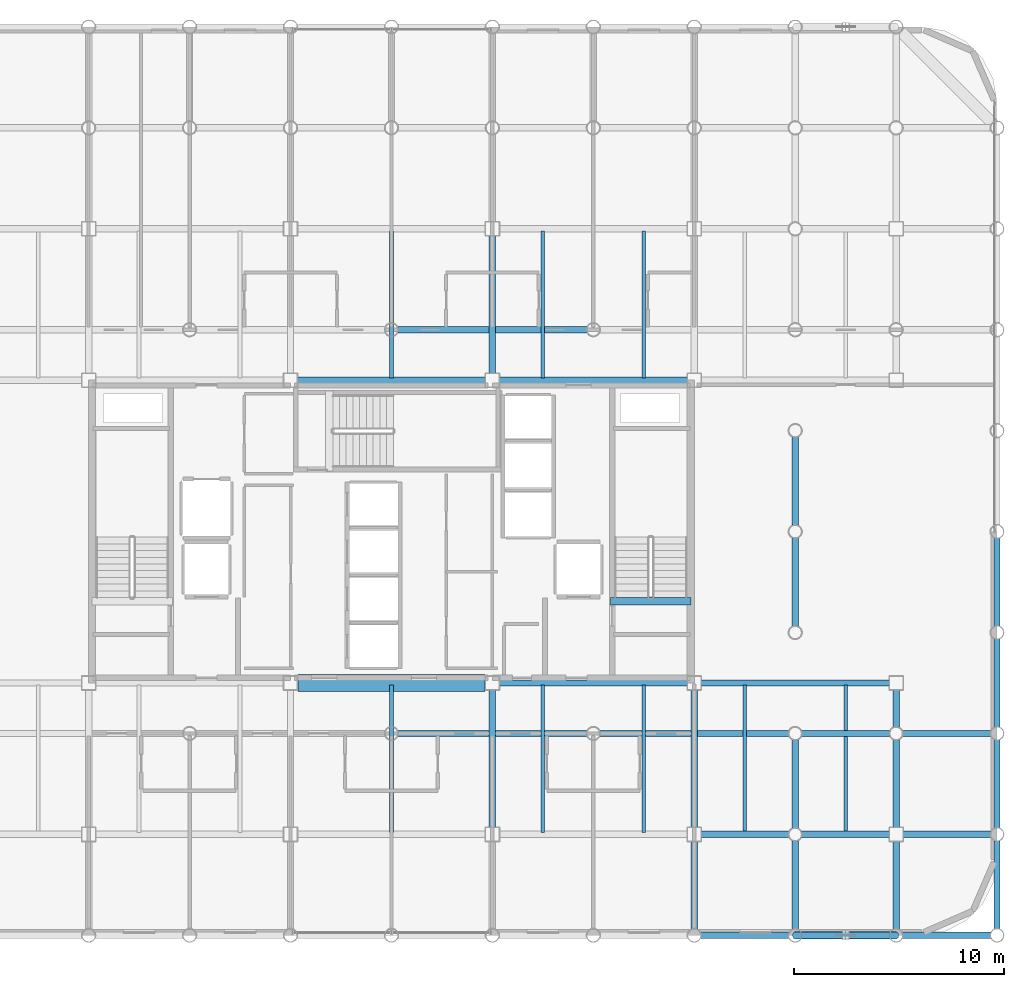
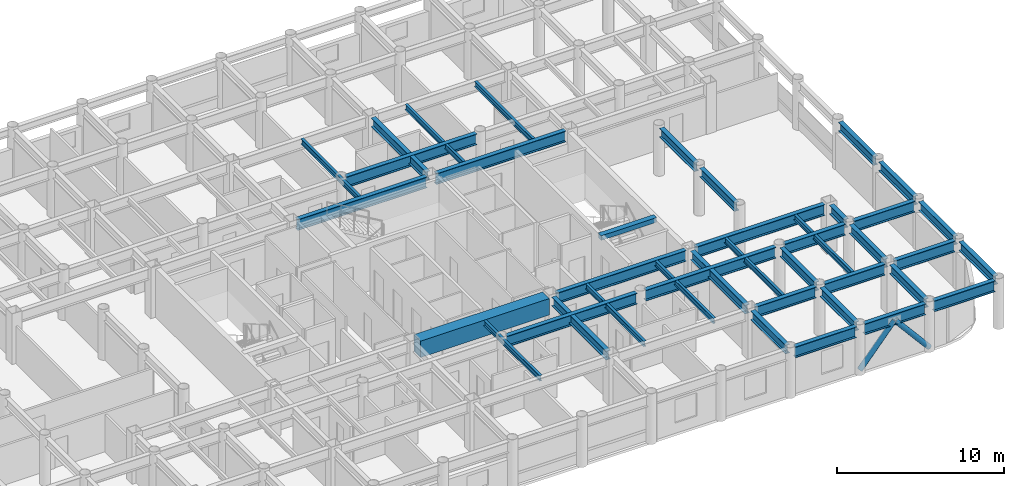
# One storey, part 7 of 20: 40 beams, 2 members.
"""IFC4 building model written with IfcOpenShell, lengths in metres."""

from ifc_helpers import new_model, si_unit, direction, frame, origin, origin_2d, place, context, subcontext, project, spatial, rectangle, hollow_circle, i_section, extrude, material, material_profile, profile_set, type_object, element, save


model = new_model("IFC4")

# Units and contexts
model_context = context("Model", 3, precision=1e-05, world=origin(), true_north=direction((0.0, 1.0)))
body_context = subcontext(model_context, "Body", "Model", "MODEL_VIEW")
ifc_project = project(units=[si_unit("LENGTHUNIT", "METRE"), si_unit("AREAUNIT", "SQUARE_METRE"), si_unit("VOLUMEUNIT", "CUBIC_METRE"), si_unit("PLANEANGLEUNIT", "RADIAN"), si_unit("MASSUNIT", "GRAM", prefix="KILO")], contexts=[model_context])

# Site, building, storey
site_placement = place(None, origin())
site = spatial("IfcSite", under=ifc_project, at=site_placement, CompositionType="ELEMENT")
building_placement = place(site_placement, origin())
building = spatial("IfcBuilding", under=site, at=building_placement, Name="Kallvorn Hotel Tower", CompositionType="ELEMENT")
storey_placement = place(building_placement, frame((0.0, 0.0, 132.199951171875)))
storey = spatial("IfcBuildingStorey", under=building, at=storey_placement, Name="L32", CompositionType="ELEMENT", Elevation=132.199951171875)

# Beams
ifc_material_1 = material(Name="Structural steel S355JR", Category="steel")
ifc_material_profile_1 = material_profile(ifc_material_1, i_section(OverallWidth=0.300048828125, OverallDepth=0.64990234375, WebThickness=0.01611328125, FlangeThickness=0.031005859375, at=origin_2d()), Name="HE 650 B")
ifc_profile_set_1 = profile_set([ifc_material_profile_1], Name="Structural steel S355JR")
beam_type_1 = type_object("IfcBeamType", Name="BM_HE650B", PredefinedType="BEAM", material=ifc_profile_set_1)
for number, where, z_axis, x_axis, name in (
    (1, (4.800048828125, -14.074951171875, 3.195068359375), (0.0, 1.0, 0.0), (-1.0, 0.0, 0.0), "L33 Primary Y-Girder 115"),
    (2, (4.800048828125, 7.52490234375, 3.195068359375), (0.0, 1.0, 0.0), (-1.0, 0.0, 0.0), "L33 Primary Y-Girder 116"),
):
    element("IfcBeam", number, at=place(storey_placement, frame(where, z_axis=z_axis, x_axis=x_axis)), inside=storey, type_object=beam_type_1, Name=name, PredefinedType="BEAM", context=body_context, shape_type="SweptSolid", body=[
        extrude(i_section(OverallWidth=0.300048828125, OverallDepth=0.64990234375, WebThickness=0.01611328125, FlangeThickness=0.031005859375, at=origin_2d()), origin(), (0.0, 0.0, 1.0), 6.550048828125),
    ])
beam_1_placement = place(storey_placement, frame((14.39990234375, -18.89501953125, 3.195068359375), z_axis=(0.0, 1.0, 0.0), x_axis=(-1.0, 0.0, 0.0)))
element("IfcBeam", 3, at=beam_1_placement, inside=storey, type_object=beam_type_1, Name="L33 Primary Y-Girder 122", PredefinedType="BEAM", context=body_context, shape_type="SweptSolid", body=[
    extrude(i_section(OverallWidth=0.300048828125, OverallDepth=0.64990234375, WebThickness=0.01611328125, FlangeThickness=0.031005859375, at=origin_2d()), origin(), (0.0, 0.0, 1.0), 4.169921875),
])
beam_2_placement = place(storey_placement, frame((14.39990234375, -14.074951171875, 3.195068359375), z_axis=(0.0, 1.0, 0.0), x_axis=(-1.0, 0.0, 0.0)))
element("IfcBeam", 4, at=beam_2_placement, inside=storey, type_object=beam_type_1, Name="L33 Primary Y-Girder 123", PredefinedType="BEAM", context=body_context, shape_type="SweptSolid", body=[
    extrude(i_section(OverallWidth=0.300048828125, OverallDepth=0.64990234375, WebThickness=0.01611328125, FlangeThickness=0.031005859375, at=origin_2d()), origin(), (0.0, 0.0, 1.0), 6.550048828125),
])
for number, where, z_axis, x_axis, name in (
    (5, (19.199951171875, -18.89501953125, 3.195068359375), (0.0, 1.0, 0.0), (-1.0, 0.0, 0.0), "L33 Primary Y-Girder 127"),
    (6, (19.199951171875, -14.094970703125, 3.195068359375), (0.0, 1.0, 0.0), (-1.0, 0.0, 0.0), "L33 Primary Y-Girder 128"),
):
    element("IfcBeam", number, at=place(storey_placement, frame(where, z_axis=z_axis, x_axis=x_axis)), inside=storey, type_object=beam_type_1, Name=name, PredefinedType="BEAM", context=body_context, shape_type="SweptSolid", body=[
        extrude(i_section(OverallWidth=0.300048828125, OverallDepth=0.64990234375, WebThickness=0.01611328125, FlangeThickness=0.031005859375, at=origin_2d()), origin(), (0.0, 0.0, 1.0), 4.18994140625),
    ])
for number, where, z_axis, x_axis, name in (
    (7, (19.199951171875, -4.4951171875, 3.195068359375), (0.0, 1.0, 0.0), (-1.0, 0.0, 0.0), "L33 Primary Y-Girder 130"),
    (8, (19.199951171875, 0.304931640625, 3.195068359375), (0.0, 1.0, 0.0), (-1.0, 0.0, 0.0), "L33 Primary Y-Girder 131"),
):
    element("IfcBeam", number, at=place(storey_placement, frame(where, z_axis=z_axis, x_axis=x_axis)), inside=storey, type_object=beam_type_1, Name=name, PredefinedType="BEAM", context=body_context, shape_type="SweptSolid", body=[
        extrude(i_section(OverallWidth=0.300048828125, OverallDepth=0.64990234375, WebThickness=0.01611328125, FlangeThickness=0.031005859375, at=origin_2d()), origin(), (0.0, 0.0, 1.0), 4.190185546875),
    ])
for number, where, z_axis, x_axis, name in (
    (9, (24.0, -18.89501953125, 3.195068359375), (0.0, 1.0, 0.0), (-1.0, 0.0, 0.0), "L33 Primary Y-Girder 136"),
    (10, (24.0, -14.074951171875, 3.195068359375), (0.0, 1.0, 0.0), (-1.0, 0.0, 0.0), "L33 Primary Y-Girder 137"),
):
    element("IfcBeam", number, at=place(storey_placement, frame(where, z_axis=z_axis, x_axis=x_axis)), inside=storey, type_object=beam_type_1, Name=name, PredefinedType="BEAM", context=body_context, shape_type="SweptSolid", body=[
        extrude(i_section(OverallWidth=0.300048828125, OverallDepth=0.64990234375, WebThickness=0.01611328125, FlangeThickness=0.031005859375, at=origin_2d()), origin(), (0.0, 0.0, 1.0), 4.169921875),
    ])
beam_3_placement = place(storey_placement, frame((24.0, -9.294921875, 3.195068359375), z_axis=(0.0, 1.0, 0.0), x_axis=(-1.0, 0.0, 0.0)))
element("IfcBeam", 11, at=beam_3_placement, inside=storey, type_object=beam_type_1, Name="L33 Primary Y-Girder 138", PredefinedType="BEAM", context=body_context, shape_type="SweptSolid", body=[
    extrude(i_section(OverallWidth=0.300048828125, OverallDepth=0.64990234375, WebThickness=0.01611328125, FlangeThickness=0.031005859375, at=origin_2d()), origin(), (0.0, 0.0, 1.0), 1.77001953125),
])
for number, where, z_axis, x_axis, name in (
    (12, (28.800048828125, -18.89501953125, 3.195068359375), (0.0, 1.0, 0.0), (-1.0, 0.0, 0.0), "L33 Primary Y-Girder 143"),
    (13, (28.800048828125, -14.094970703125, 3.195068359375), (0.0, 1.0, 0.0), (-1.0, 0.0, 0.0), "L33 Primary Y-Girder 144"),
    (14, (28.800048828125, -9.294921875, 3.195068359375), (0.0, 1.0, 0.0), (-1.0, 0.0, 0.0), "L33 Primary Y-Girder 145"),
):
    element("IfcBeam", number, at=place(storey_placement, frame(where, z_axis=z_axis, x_axis=x_axis)), inside=storey, type_object=beam_type_1, Name=name, PredefinedType="BEAM", context=body_context, shape_type="SweptSolid", body=[
        extrude(i_section(OverallWidth=0.300048828125, OverallDepth=0.64990234375, WebThickness=0.01611328125, FlangeThickness=0.031005859375, at=origin_2d()), origin(), (0.0, 0.0, 1.0), 4.18994140625),
    ])
beam_4_placement = place(storey_placement, frame((28.800048828125, -4.4951171875, 3.195068359375), z_axis=(0.0, 1.0, 0.0), x_axis=(-1.0, 0.0, 0.0)))
element("IfcBeam", 15, at=beam_4_placement, inside=storey, type_object=beam_type_1, Name="L33 Primary Y-Girder 146", PredefinedType="BEAM", context=body_context, shape_type="SweptSolid", body=[
    extrude(i_section(OverallWidth=0.300048828125, OverallDepth=0.64990234375, WebThickness=0.01611328125, FlangeThickness=0.031005859375, at=origin_2d()), origin(), (0.0, 0.0, 1.0), 4.190185546875),
])
ifc_material_2 = material(Name="Structural steel S355JR", Category="steel")
ifc_material_profile_2 = material_profile(ifc_material_2, i_section(OverallWidth=0.300048828125, OverallDepth=0.800048828125, WebThickness=0.017578125, FlangeThickness=0.032958984375, at=origin_2d()), Name="HE 800 B")
ifc_profile_set_2 = profile_set([ifc_material_profile_2], Name="Structural steel S355JR")
beam_type_2 = type_object("IfcBeamType", Name="BM_HE800B", PredefinedType="BEAM", material=ifc_profile_set_2)
beam_5_placement = place(storey_placement, frame((14.705078125, -19.199951171875, 3.1201171875), z_axis=(1.0, 0.0, 0.0), x_axis=(0.0, 1.0, 0.0)))
element("IfcBeam", 16, at=beam_5_placement, inside=storey, type_object=beam_type_2, Name="L33 Primary X-Girder 10", PredefinedType="BEAM", context=body_context, shape_type="SweptSolid", body=[
    extrude(i_section(OverallWidth=0.300048828125, OverallDepth=0.800048828125, WebThickness=0.017578125, FlangeThickness=0.032958984375, at=origin_2d()), origin(), (0.0, 0.0, 1.0), 4.18994140625),
])
for number, where, z_axis, x_axis, name in (
    (17, (19.5048828125, -19.199951171875, 3.1201171875), (1.0, 0.0, 0.0), (0.0, 1.0, 0.0), "L33 Primary X-Girder 11"),
    (18, (24.304931640625, -19.199951171875, 3.1201171875), (1.0, 0.0, 0.0), (0.0, 1.0, 0.0), "L33 Primary X-Girder 12"),
):
    element("IfcBeam", number, at=place(storey_placement, frame(where, z_axis=z_axis, x_axis=x_axis)), inside=storey, type_object=beam_type_2, Name=name, PredefinedType="BEAM", context=body_context, shape_type="SweptSolid", body=[
        extrude(i_section(OverallWidth=0.300048828125, OverallDepth=0.800048828125, WebThickness=0.017578125, FlangeThickness=0.032958984375, at=origin_2d()), origin(), (0.0, 0.0, 1.0), 4.190185546875),
    ])
beam_6_placement = place(storey_placement, frame((14.72509765625, -14.39990234375, 3.1201171875), z_axis=(1.0, 0.0, 0.0), x_axis=(0.0, 1.0, 0.0)))
element("IfcBeam", 19, at=beam_6_placement, inside=storey, type_object=beam_type_2, Name="L33 Primary X-Girder 20", PredefinedType="BEAM", context=body_context, shape_type="SweptSolid", body=[
    extrude(i_section(OverallWidth=0.300048828125, OverallDepth=0.800048828125, WebThickness=0.017578125, FlangeThickness=0.032958984375, at=origin_2d()), origin(), (0.0, 0.0, 1.0), 4.169921875),
])
for number, where, z_axis, x_axis, name in (
    (20, (19.5048828125, -14.39990234375, 3.1201171875), (1.0, 0.0, 0.0), (0.0, 1.0, 0.0), "L33 Primary X-Girder 21"),
    (21, (24.324951171875, -14.39990234375, 3.1201171875), (1.0, 0.0, 0.0), (0.0, 1.0, 0.0), "L33 Primary X-Girder 22"),
):
    element("IfcBeam", number, at=place(storey_placement, frame(where, z_axis=z_axis, x_axis=x_axis)), inside=storey, type_object=beam_type_2, Name=name, PredefinedType="BEAM", context=body_context, shape_type="SweptSolid", body=[
        extrude(i_section(OverallWidth=0.300048828125, OverallDepth=0.800048828125, WebThickness=0.017578125, FlangeThickness=0.032958984375, at=origin_2d()), origin(), (0.0, 0.0, 1.0), 4.170166015625),
    ])
for number, where, z_axis, x_axis, name in (
    (22, (0.304931640625, -9.60009765625, 3.1201171875), (1.0, 0.0, 0.0), (0.0, 1.0, 0.0), "L33 Primary X-Girder 28"),
    (23, (9.905029296875, -9.60009765625, 3.1201171875), (1.0, 0.0, 0.0), (0.0, 1.0, 0.0), "L33 Primary X-Girder 29"),
):
    element("IfcBeam", number, at=place(storey_placement, frame(where, z_axis=z_axis, x_axis=x_axis)), inside=storey, type_object=beam_type_2, Name=name, PredefinedType="BEAM", context=body_context, shape_type="SweptSolid", body=[
        extrude(i_section(OverallWidth=0.300048828125, OverallDepth=0.800048828125, WebThickness=0.017578125, FlangeThickness=0.032958984375, at=origin_2d()), origin(), (0.0, 0.0, 1.0), 8.989990234375),
    ])
for number, where, z_axis, x_axis, name in (
    (24, (19.5048828125, -9.60009765625, 3.1201171875), (1.0, 0.0, 0.0), (0.0, 1.0, 0.0), "L33 Primary X-Girder 30"),
    (25, (24.304931640625, -9.60009765625, 3.1201171875), (1.0, 0.0, 0.0), (0.0, 1.0, 0.0), "L33 Primary X-Girder 31"),
):
    element("IfcBeam", number, at=place(storey_placement, frame(where, z_axis=z_axis, x_axis=x_axis)), inside=storey, type_object=beam_type_2, Name=name, PredefinedType="BEAM", context=body_context, shape_type="SweptSolid", body=[
        extrude(i_section(OverallWidth=0.300048828125, OverallDepth=0.800048828125, WebThickness=0.017578125, FlangeThickness=0.032958984375, at=origin_2d()), origin(), (0.0, 0.0, 1.0), 4.190185546875),
    ])
for number, where, z_axis, x_axis, name in (
    (26, (5.125, -7.199951171875, 3.1201171875), (1.0, 0.0, 0.0), (0.0, 1.0, 0.0), "L33 Primary X-Girder 34"),
    (27, (14.72509765625, -7.199951171875, 3.1201171875), (1.0, 0.0, 0.0), (0.0, 1.0, 0.0), "L33 Primary X-Girder 35"),
):
    element("IfcBeam", number, at=place(storey_placement, frame(where, z_axis=z_axis, x_axis=x_axis)), inside=storey, type_object=beam_type_2, Name=name, PredefinedType="BEAM", context=body_context, shape_type="SweptSolid", body=[
        extrude(i_section(OverallWidth=0.300048828125, OverallDepth=0.800048828125, WebThickness=0.017578125, FlangeThickness=0.032958984375, at=origin_2d()), origin(), (0.0, 0.0, 1.0), 8.949951171875),
    ])
beam_7_placement = place(storey_placement, frame((-4.47509765625, 7.199951171875, 3.1201171875), z_axis=(1.0, 0.0, 0.0), x_axis=(0.0, 1.0, 0.0)))
element("IfcBeam", 28, at=beam_7_placement, inside=storey, type_object=beam_type_2, Name="L33 Primary X-Girder 38", PredefinedType="BEAM", context=body_context, shape_type="SweptSolid", body=[
    extrude(i_section(OverallWidth=0.300048828125, OverallDepth=0.800048828125, WebThickness=0.017578125, FlangeThickness=0.032958984375, at=origin_2d()), origin(), (0.0, 0.0, 1.0), 8.9501953125),
])
beam_8_placement = place(storey_placement, frame((5.125, 7.199951171875, 3.1201171875), z_axis=(1.0, 0.0, 0.0), x_axis=(0.0, 1.0, 0.0)))
element("IfcBeam", 29, at=beam_8_placement, inside=storey, type_object=beam_type_2, Name="L33 Primary X-Girder 39", PredefinedType="BEAM", context=body_context, shape_type="SweptSolid", body=[
    extrude(i_section(OverallWidth=0.300048828125, OverallDepth=0.800048828125, WebThickness=0.017578125, FlangeThickness=0.032958984375, at=origin_2d()), origin(), (0.0, 0.0, 1.0), 8.949951171875),
])
beam_9_placement = place(storey_placement, frame((0.304931640625, 9.60009765625, 3.1201171875), z_axis=(1.0, 0.0, 0.0), x_axis=(0.0, 1.0, 0.0)))
element("IfcBeam", 30, at=beam_9_placement, inside=storey, type_object=beam_type_2, Name="L33 Primary X-Girder 46", PredefinedType="BEAM", context=body_context, shape_type="SweptSolid", body=[
    extrude(i_section(OverallWidth=0.300048828125, OverallDepth=0.800048828125, WebThickness=0.017578125, FlangeThickness=0.032958984375, at=origin_2d()), origin(), (0.0, 0.0, 1.0), 8.989990234375),
])
ifc_material_3 = material(Name="Structural steel S355JR", Category="steel")
ifc_material_profile_3 = material_profile(ifc_material_3, i_section(OverallWidth=0.179931640625, OverallDepth=0.39990234375, WebThickness=0.008544921875, FlangeThickness=0.013427734375, at=origin_2d()), Name="IPE 400")
ifc_profile_set_3 = profile_set([ifc_material_profile_3], Name="Structural steel S355JR")
beam_type_3 = type_object("IfcBeamType", Name="BM_IPE400", PredefinedType="JOIST", material=ifc_profile_set_3)
for number, where, z_axis, x_axis, name in (
    (31, (0.0, -14.300048828125, 3.320068359375), (0.0, 1.0, 0.0), (-1.0, 0.0, 0.0), "L33 Secondary Composite Joist 200"),
    (32, (0.0, 7.300048828125, 3.320068359375), (0.0, 1.0, 0.0), (-1.0, 0.0, 0.0), "L33 Secondary Composite Joist 201"),
    (33, (7.199951171875, -14.300048828125, 3.320068359375), (0.0, 1.0, 0.0), (-1.0, 0.0, 0.0), "L33 Secondary Composite Joist 202"),
    (34, (7.199951171875, 7.300048828125, 3.320068359375), (0.0, 1.0, 0.0), (-1.0, 0.0, 0.0), "L33 Secondary Composite Joist 203"),
    (35, (12.0, -14.300048828125, 3.320068359375), (0.0, 1.0, 0.0), (-1.0, 0.0, 0.0), "L33 Secondary Composite Joist 204"),
    (36, (12.0, 7.300048828125, 3.320068359375), (0.0, 1.0, 0.0), (-1.0, 0.0, 0.0), "L33 Secondary Composite Joist 205"),
    (37, (16.800048828125, -14.300048828125, 3.320068359375), (0.0, 1.0, 0.0), (-1.0, 0.0, 0.0), "L33 Secondary Composite Joist 206"),
    (38, (21.60009765625, -14.300048828125, 3.320068359375), (0.0, 1.0, 0.0), (-1.0, 0.0, 0.0), "L33 Secondary Composite Joist 208"),
):
    element("IfcBeam", number, at=place(storey_placement, frame(where, z_axis=z_axis, x_axis=x_axis)), inside=storey, type_object=beam_type_3, Name=name, PredefinedType="JOIST", context=body_context, shape_type="SweptSolid", body=[
        extrude(i_section(OverallWidth=0.179931640625, OverallDepth=0.39990234375, WebThickness=0.008544921875, FlangeThickness=0.013427734375, at=origin_2d()), origin(), (0.0, 0.0, 1.0), 7.0),
    ])
ifc_material_4 = material(Name="Concrete C50/60", Category="concrete")
ifc_material_profile_4 = material_profile(ifc_material_4, rectangle(XDim=0.360107421875, YDim=0.340087890625, at=origin_2d()), Name="RC 360x340")
ifc_profile_set_4 = profile_set([ifc_material_profile_4], Name="Concrete C50/60")
beam_type_4 = type_object("IfcBeamType", Name="BM_RC_400x360", PredefinedType="BEAM", material=ifc_profile_set_4)
beam_10_placement = place(storey_placement, frame((14.239990234375, -3.31005859375, 3.35009765625), z_axis=(-1.0, 0.0, 0.0), x_axis=(0.0, -1.0, 0.0)))
element("IfcBeam", 39, at=beam_10_placement, inside=storey, type_object=beam_type_4, Name="L33 Stair ST2 Arrival Trimmer Beam", PredefinedType="BEAM", context=body_context, shape_type="SweptSolid", body=[
    extrude(rectangle(XDim=0.360107421875, YDim=0.340087890625, at=origin_2d()), origin(), (0.0, 0.0, 1.0), 3.820068359375),
])
ifc_material_5 = material(Name="Concrete C50/60", Category="concrete")
ifc_material_profile_5 = material_profile(ifc_material_5, rectangle(XDim=0.800048828125, YDim=1.199951171875, at=origin_2d()), Name="RC 800x1200")
ifc_profile_set_5 = profile_set([ifc_material_profile_5], Name="Concrete C50/60")
beam_type_5 = type_object("IfcBeamType", Name="BM_RC_800x1200", PredefinedType="T_BEAM", material=ifc_profile_set_5)
beam_11_placement = place(storey_placement, frame((-4.449951171875, -7.199951171875, 2.920166015625), z_axis=(1.0, 0.0, 0.0), x_axis=(0.0, 1.0, 0.0)))
element("IfcBeam", 40, at=beam_11_placement, inside=storey, type_object=beam_type_5, Name="L32 Core Coupling Beam South", PredefinedType="T_BEAM", context=body_context, shape_type="SweptSolid", body=[
    extrude(rectangle(XDim=0.800048828125, YDim=1.199951171875, at=origin_2d()), origin(), (0.0, 0.0, 1.0), 8.89990234375),
])

# Members
ifc_material_6 = material(Name="Structural steel S355J2H", Category="steel")
ifc_material_profile_6 = material_profile(ifc_material_6, hollow_circle(Radius=0.177734375, WallThickness=0.01416015625, at=origin_2d()), Name="CHS 355.6x14.2")
ifc_profile_set_6 = profile_set([ifc_material_profile_6], Name="Structural steel S355J2H")
member_type = type_object("IfcMemberType", Name="MBR_EXO_CHS355", PredefinedType="BRACE", material=ifc_profile_set_6)
for number, where, z_axis, x_axis, name in (
    (41, (19.212890625, -19.199951171875, 0.1953125), (0.646833296797, 0.0, 0.762631422218), (0.0, 1.0, 0.0), "L32 Exoskeleton K-Brace S2A"),
    (42, (23.987060546875, -19.199951171875, 0.1953125), (-0.646833296797, 0.0, 0.762631422218), (0.0, -1.0, 0.0), "L32 Exoskeleton K-Brace S2B"),
):
    element("IfcMember", number, at=place(storey_placement, frame(where, z_axis=z_axis, x_axis=x_axis)), inside=storey, type_object=member_type, Name=name, PredefinedType="BRACE", context=body_context, shape_type="SweptSolid", body=[
        extrude(hollow_circle(Radius=0.177734375, WallThickness=0.01416015625, at=origin_2d()), origin(), (0.0, 0.0, 1.0), 3.670654296875),
    ])

save(model, "model.ifc")
